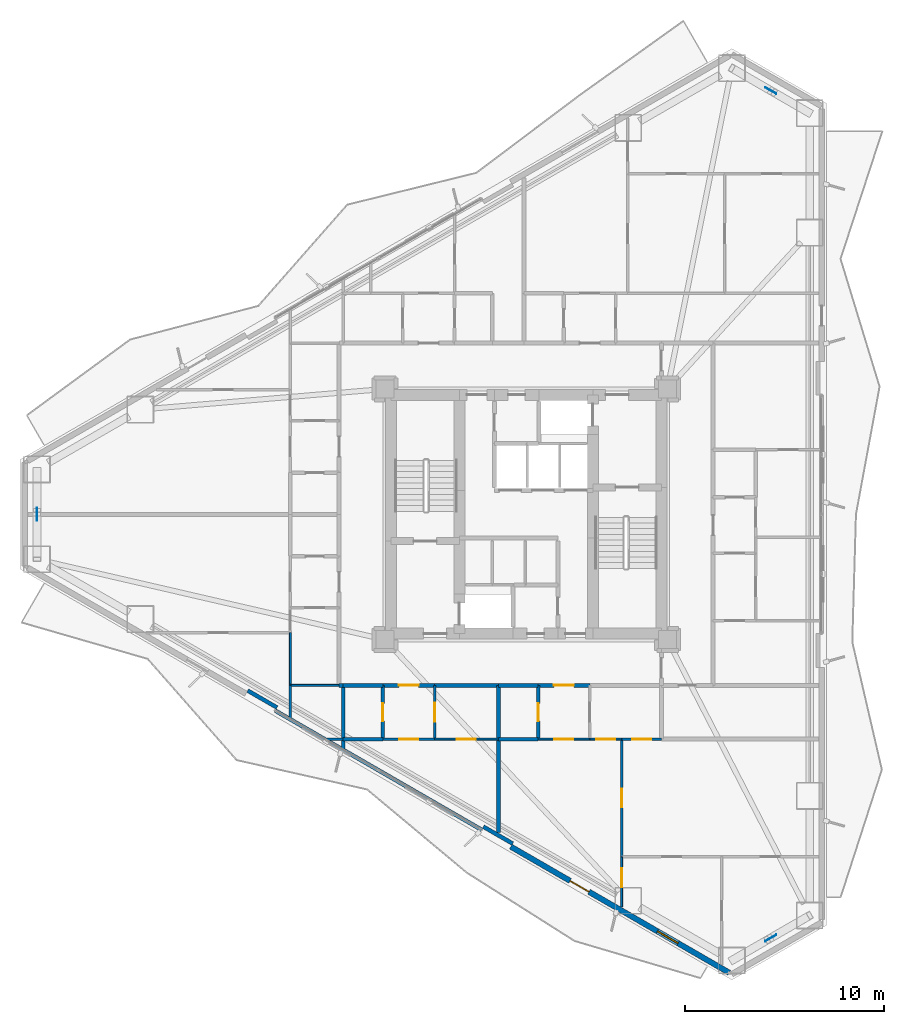
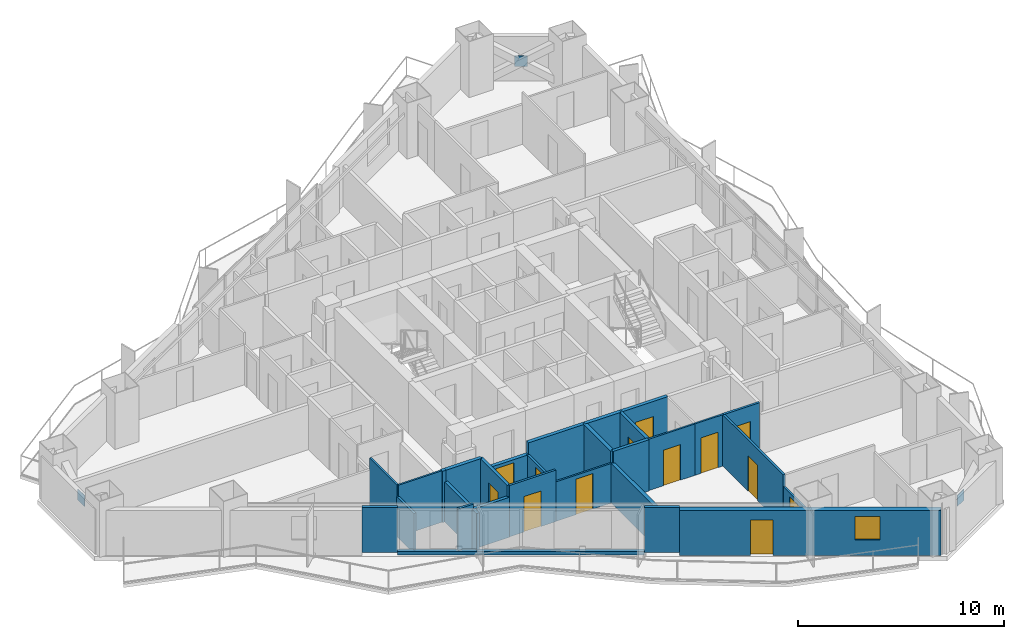
# One storey, part 11 of 18: 29 walls, 13 doors, 3 plates, 1 window, 14 openings.
"""IFC4 building model written with IfcOpenShell, lengths in metres."""

from ifc_helpers import new_model, si_unit, direction, frame, frame_2d, origin, origin_2d, place, context, subcontext, project, spatial, rectangle, extrude, material, layer, layer_set, type_object, element, fill, save


model = new_model("IFC4")

# Units and contexts
model_context = context("Model", 3, precision=1e-05, world=origin(), true_north=direction((0.0, 1.0)))
body_context = subcontext(model_context, "Body", "Model", "MODEL_VIEW")
ifc_project = project(units=[si_unit("LENGTHUNIT", "METRE"), si_unit("AREAUNIT", "SQUARE_METRE"), si_unit("VOLUMEUNIT", "CUBIC_METRE"), si_unit("PLANEANGLEUNIT", "RADIAN"), si_unit("MASSUNIT", "GRAM", prefix="KILO")], contexts=[model_context])

# Site, building, storey
site_placement = place(None, origin())
site = spatial("IfcSite", under=ifc_project, at=site_placement, CompositionType="ELEMENT")
building_placement = place(site_placement, origin())
building = spatial("IfcBuilding", under=site, at=building_placement, Name="Mersakhor Tower and Convention Hall", CompositionType="ELEMENT")
storey_placement = place(building_placement, frame((0.0, 0.0, 32.39990234375)))
storey = spatial("IfcBuildingStorey", under=building, at=storey_placement, Name="L08", CompositionType="ELEMENT", Elevation=32.39990234375)

# Plates
ifc_material_1 = material(Name="Steel S460", Category="steel")
ifc_layer_1 = layer(ifc_material_1, 0.0400390625)
ifc_layer_set_1 = layer_set([ifc_layer_1], Name="Steel S460")
plate_type = type_object("IfcPlateType", Name="PL-GUSSET-40", PredefinedType="SHEET", material=ifc_layer_set_1)
for number, where, z_axis, x_axis, name in (
    (1, (41.29345703125, 48.04296875, 1.2001953125), (0.0, 0.0, 1.0), (-0.866025403784, 0.5, 0.0), "L08 X-Brace Crossing Gusset Node Plate"),
    (2, (41.29345703125, 5.45703125, 1.2001953125), (0.0, 0.0, 1.0), (0.866025403784, 0.5, 0.0), "L08 X-Brace Crossing Gusset Node Plate"),
    (3, (4.4130859375, 26.75, 1.2001953125), (0.0, 0.0, 1.0), (0.0, -1.0, 0.0), "L08 X-Brace Crossing Gusset Node Plate"),
):
    element("IfcPlate", number, at=place(storey_placement, frame(where, z_axis=z_axis, x_axis=x_axis)), inside=storey, type_object=plate_type, Name=name, PredefinedType="SHEET", context=body_context, shape_type="SweptSolid", body=[
        extrude(rectangle(XDim=0.639892578125, YDim=0.0400390625, at=origin_2d()), origin(), (0.0, 0.0, 1.0), 0.639892578125),
    ])

# Wall, openings, door, window
ifc_material_2 = material(Name="Precast concrete C45/55", Category="concrete")
ifc_layer_2 = layer(ifc_material_2, 0.27490234375)
ifc_layer_set_2 = layer_set([ifc_layer_2], Name="Precast concrete C45/55")
wall_type_1 = type_object("IfcWallType", Name="WL-EXT-275", PredefinedType="SOLIDWALL", material=ifc_layer_set_2)
wall_1_placement = place(storey_placement, frame((39.20703125, 3.709716796875, 0.0), z_axis=(0.0, 0.0, 1.0), x_axis=(-0.86603192154, 0.499988710747, 0.0)))
wall_1 = element("IfcWall", 4, at=wall_1_placement, inside=storey, type_object=wall_type_1, Name="L08 Exterior Facade Wall F3-B1", PredefinedType="SOLIDWALL", context=body_context, shape_type="SweptSolid", body=[
    extrude(rectangle(XDim=12.673095703125, YDim=0.27490234375, at=frame_2d((6.33642578125, 0.0))), origin(), (0.0, 0.0, 1.0), 2.66015625),
])
opening_1_placement = place(wall_1_placement, frame((8.135986328125, 0.0, 0.0)))
opening_1 = element("IfcOpeningElement", 5, at=opening_1_placement, cuts=wall_1, Name="Opening BD-02", PredefinedType="OPENING", context=body_context, shape_type="SweptSolid", body=[
    extrude(rectangle(XDim=1.10009765625, YDim=2.10009765625, at=frame_2d((0.550048828125, 1.050048828125))), frame((0.0, 0.1474609375, 0.0), z_axis=(0.0, -1.0, 0.0), x_axis=(1.0, 0.0, 0.0)), (0.0, 0.0, 1.0), 0.294921875),
])
opening_2_placement = place(wall_1_placement, frame((2.970947265625, 0.0, 0.89990234375)))
opening_2 = element("IfcOpeningElement", 6, at=opening_2_placement, cuts=wall_1, Name="Opening W-01", PredefinedType="OPENING", context=body_context, shape_type="SweptSolid", body=[
    extrude(rectangle(XDim=1.199951171875, YDim=1.39990234375, at=frame_2d((0.60009765625, 0.699951171875))), frame((0.0, 0.1474609375, 0.0), z_axis=(0.0, -1.0, 0.0), x_axis=(1.0, 0.0, 0.0)), (0.0, 0.0, 1.0), 0.294921875),
])
ifc_material_3 = material(Name="Thermally broken dark aluminium and safety glass", Category="aluminium")
door_type_1 = type_object("IfcDoorType", Name="DR-BAL-110x210", OperationType="NOTDEFINED", PredefinedType="DOOR", material=ifc_material_3)
door_1_placement = place(opening_1_placement, origin())
door_1 = element("IfcDoor", 7, at=door_1_placement, inside=storey, type_object=door_type_1, Name="L08 Balcony Terrace Door F3-B1", OperationType="SINGLE_SWING_RIGHT", OverallHeight=2.10009765625, OverallWidth=1.10009765625, PredefinedType="DOOR", context=body_context, shape_type="SweptSolid", body=[
    extrude(rectangle(XDim=1.10009765625, YDim=2.10009765625, at=frame_2d((0.550048828125, 1.050048828125))), frame((0.0, 0.02490234375, 0.0), z_axis=(0.0, -1.0, 0.0), x_axis=(1.0, 0.0, 0.0)), (0.0, 0.0, 1.0), 0.050048828125),
])
fill(opening_1, door_1)
ifc_material_4 = material(Name="Dark solar low-E glazed aluminium window", Category="aluminium")
window_type = type_object("IfcWindowType", Name="WN-RES-120x150", PartitioningType="SINGLE_PANEL", PredefinedType="WINDOW", material=ifc_material_4)
window_placement = place(opening_2_placement, origin())
window = element("IfcWindow", 8, at=window_placement, inside=storey, type_object=window_type, Name="L08 Bedroom Facade Window F3-B1-1", OverallHeight=1.39990234375, OverallWidth=1.199951171875, PartitioningType="SINGLE_PANEL", PredefinedType="WINDOW", context=body_context, shape_type="SweptSolid", body=[
    extrude(rectangle(XDim=1.199951171875, YDim=1.39990234375, at=frame_2d((0.60009765625, 0.699951171875))), frame((0.0, 0.030029296875, 0.0), z_axis=(0.0, -1.0, 0.0), x_axis=(1.0, 0.0, 0.0)), (0.0, 0.0, 1.0), 0.06005859375),
])
fill(opening_2, window)

# Walls
ifc_material_5 = material(Name="Precast concrete C40/50", Category="concrete")
ifc_layer_3 = layer(ifc_material_5, 0.199951171875)
ifc_layer_set_3 = layer_set([ifc_layer_3], Name="Precast concrete C40/50")
wall_type_2 = type_object("IfcWallType", Name="WL-PAR-200", PredefinedType="PARAPET", material=ifc_layer_set_3)
wall_2_placement = place(storey_placement, frame((26.759521484375, 10.896240234375, 0.0), z_axis=(0.0, 0.0, 1.0), x_axis=(-0.866027351828, 0.499996625875, 0.0)))
element("IfcWall", 9, at=wall_2_placement, inside=storey, type_object=wall_type_2, Name="L08 Curtain Wall Upstand Sill F3-B2", PredefinedType="PARAPET", context=body_context, shape_type="SweptSolid", body=[
    extrude(rectangle(XDim=11.97314453125, YDim=0.199951171875, at=frame_2d((5.986572265625, 0.0))), origin(), (0.0, 0.0, 1.0), 0.2001953125),
])
for number, where, z_axis, x_axis, name in (
    (10, (28.32177734375, 10.2021484375, 0.0), (0.0, 0.0, 1.0), (-0.86605165483, 0.499954529098, 0.0), "L08 Column Pier Cladding Wall F3-C1"),
    (11, (16.48046875, 17.038818359375, 0.0), (0.0, 0.0, 1.0), (-0.86605165483, 0.499954529098, 0.0), "L08 Column Pier Cladding Wall F3-C2"),
):
    element("IfcWall", number, at=place(storey_placement, frame(where, z_axis=z_axis, x_axis=x_axis)), inside=storey, type_object=wall_type_2, Name=name, PredefinedType="PARAPET", context=body_context, shape_type="SweptSolid", body=[
        extrude(rectangle(XDim=1.699951171875, YDim=0.199951171875, at=frame_2d((0.85009765625, 0.0))), origin(), (0.0, 0.0, 1.0), 2.66015625),
    ])

# Wall, opening, door
ifc_material_6 = material(Name="Moisture-resistant acoustic drywall studwork", Category="other")
ifc_layer_4 = layer(ifc_material_6, 0.175048828125)
ifc_layer_set_4 = layer_set([ifc_layer_4], Name="Moisture-resistant acoustic drywall studwork")
wall_type_3 = type_object("IfcWallType", Name="WL-PLM-175", PredefinedType="PLUMBINGWALL", material=ifc_layer_set_4)
wall_3_placement = place(storey_placement, frame((21.800048828125, 15.449951171875, 0.0), z_axis=(0.0, 0.0, 1.0), x_axis=(0.0, 1.0, 0.0)))
wall_3 = element("IfcWall", 12, at=wall_3_placement, inside=storey, type_object=wall_type_3, Name="L08 Interior Partition Wall P-074", PredefinedType="PLUMBINGWALL", context=body_context, shape_type="SweptSolid", body=[
    extrude(rectangle(XDim=2.699951171875, YDim=0.175048828125, at=frame_2d((1.35009765625, 0.0))), origin(), (0.0, 0.0, 1.0), 3.0400390625),
])
opening_3_placement = place(wall_3_placement, frame((0.89990234375, 0.0, 0.0)))
opening_3 = element("IfcOpeningElement", 13, at=opening_3_placement, cuts=wall_3, Name="Opening WD-01", PredefinedType="OPENING", context=body_context, shape_type="SweptSolid", body=[
    extrude(rectangle(XDim=0.89990234375, YDim=2.10009765625, at=frame_2d((0.449951171875, 1.050048828125))), frame((0.0, 0.097412109375, 0.0), z_axis=(0.0, -1.0, 0.0), x_axis=(1.0, 0.0, 0.0)), (0.0, 0.0, 1.0), 0.195068359375),
])
ifc_material_7 = material(Name="Solid-core hardwood leaf in painted steel frame", Category="steel")
door_type_2 = type_object("IfcDoorType", Name="DR-INT-WET-090x210", OperationType="NOTDEFINED", PredefinedType="DOOR", material=ifc_material_7)
door_2_placement = place(opening_3_placement, origin())
door_2 = element("IfcDoor", 14, at=door_2_placement, inside=storey, type_object=door_type_2, Name="L08 L08 Flat S3 Apartment Hall to L08 Flat S3 Bathroom Door", OperationType="SINGLE_SWING_RIGHT", OverallHeight=2.10009765625, OverallWidth=0.89990234375, PredefinedType="DOOR", context=body_context, shape_type="SweptSolid", body=[
    extrude(rectangle(XDim=0.89990234375, YDim=2.10009765625, at=frame_2d((0.449951171875, 1.050048828125))), frame((0.0, 0.02490234375, 0.0), z_axis=(0.0, -1.0, 0.0), x_axis=(1.0, 0.0, 0.0)), (0.0, 0.0, 1.0), 0.050048828125),
])
fill(opening_3, door_2)

wall_4_placement = place(storey_placement, frame((29.60009765625, 15.449951171875, 0.0), z_axis=(0.0, 0.0, 1.0), x_axis=(0.0, 1.0, 0.0)))
wall_4 = element("IfcWall", 15, at=wall_4_placement, inside=storey, type_object=wall_type_3, Name="L08 Interior Partition Wall P-077", PredefinedType="PLUMBINGWALL", context=body_context, shape_type="SweptSolid", body=[
    extrude(rectangle(XDim=2.699951171875, YDim=0.175048828125, at=frame_2d((1.35009765625, 0.0))), origin(), (0.0, 0.0, 1.0), 3.0400390625),
])
opening_4_placement = place(wall_4_placement, frame((0.89990234375, 0.0, 0.0)))
opening_4 = element("IfcOpeningElement", 16, at=opening_4_placement, cuts=wall_4, Name="Opening WD-01", PredefinedType="OPENING", context=body_context, shape_type="SweptSolid", body=[
    extrude(rectangle(XDim=0.89990234375, YDim=2.10009765625, at=frame_2d((0.449951171875, 1.050048828125))), frame((0.0, 0.097412109375, 0.0), z_axis=(0.0, -1.0, 0.0), x_axis=(1.0, 0.0, 0.0)), (0.0, 0.0, 1.0), 0.195068359375),
])
door_3_placement = place(opening_4_placement, origin())
door_3 = element("IfcDoor", 17, at=door_3_placement, inside=storey, type_object=door_type_2, Name="L08 L08 Flat S4 Apartment Hall to L08 Flat S4 Bathroom Door", OperationType="SINGLE_SWING_LEFT", OverallHeight=2.10009765625, OverallWidth=0.89990234375, PredefinedType="DOOR", context=body_context, shape_type="SweptSolid", body=[
    extrude(rectangle(XDim=0.89990234375, YDim=2.10009765625, at=frame_2d((0.449951171875, 1.050048828125))), frame((0.0, 0.02490234375, 0.0), z_axis=(0.0, -1.0, 0.0), x_axis=(1.0, 0.0, 0.0)), (0.0, 0.0, 1.0), 0.050048828125),
])
fill(opening_4, door_3)

# Walls
wall_5_placement = place(storey_placement, frame((21.800048828125, 15.449951171875, 0.0), z_axis=(0.0, 0.0, 1.0), x_axis=(-1.0, 0.0, 0.0)))
element("IfcWall", 18, at=wall_5_placement, inside=storey, type_object=wall_type_3, Name="L08 Interior Partition Wall P-100", PredefinedType="PLUMBINGWALL", context=body_context, shape_type="SweptSolid", body=[
    extrude(rectangle(XDim=2.0, YDim=0.175048828125, at=frame_2d((1.0, 0.0))), origin(), (0.0, 0.0, 1.0), 2.364990234375),
])
wall_6_placement = place(storey_placement, frame((19.800048828125, 14.955810546875, 0.0), z_axis=(0.0, 0.0, 1.0), x_axis=(0.0, 1.0, 0.0)))
element("IfcWall", 19, at=wall_6_placement, inside=storey, type_object=wall_type_3, Name="L08 Interior Partition Wall P-101", PredefinedType="PLUMBINGWALL", context=body_context, shape_type="SweptSolid", body=[
    extrude(rectangle(XDim=3.194091796875, YDim=0.175048828125, at=frame_2d((1.59716796875, 0.0))), origin(), (0.0, 0.0, 1.0), 2.364990234375),
])
wall_7_placement = place(storey_placement, frame((29.60009765625, 15.449951171875, 0.0), z_axis=(0.0, 0.0, 1.0), x_axis=(-1.0, 0.0, 0.0)))
element("IfcWall", 20, at=wall_7_placement, inside=storey, type_object=wall_type_3, Name="L08 Interior Partition Wall P-104", PredefinedType="PLUMBINGWALL", context=body_context, shape_type="SweptSolid", body=[
    extrude(rectangle(XDim=2.0, YDim=0.175048828125, at=frame_2d((1.0, 0.0))), origin(), (0.0, 0.0, 1.0), 3.0400390625),
])

# Wall, opening, door
ifc_material_8 = material(Name="Lightweight gypsum partition", Category="other")
ifc_layer_5 = layer(ifc_material_8, 0.10009765625)
ifc_layer_set_5 = layer_set([ifc_layer_5], Name="Lightweight gypsum partition")
wall_type_4 = type_object("IfcWallType", Name="WL-PRT-100", PredefinedType="PARTITIONING", material=ifc_layer_set_5)
wall_8_placement = place(storey_placement, frame((32.199951171875, 15.449951171875, 0.0), z_axis=(0.0, 0.0, 1.0), x_axis=(-1.0, 0.0, 0.0)))
wall_8 = element("IfcWall", 21, at=wall_8_placement, inside=storey, type_object=wall_type_4, Name="L08 Interior Partition Wall P-076", PredefinedType="PARTITIONING", context=body_context, shape_type="SweptSolid", body=[
    extrude(rectangle(XDim=2.599853515625, YDim=0.10009765625, at=frame_2d((1.2998046875, 0.0))), origin(), (0.0, 0.0, 1.0), 3.0400390625),
])
opening_5_placement = place(wall_8_placement, frame((0.824951171875, 0.0, 0.0)))
opening_5 = element("IfcOpeningElement", 22, at=opening_5_placement, cuts=wall_8, Name="Opening RD-01", PredefinedType="OPENING", context=body_context, shape_type="SweptSolid", body=[
    extrude(rectangle(XDim=0.949951171875, YDim=2.10009765625, at=frame_2d((0.47509765625, 1.050048828125))), frame((0.0, 0.06005859375, 0.0), z_axis=(0.0, -1.0, 0.0), x_axis=(1.0, 0.0, 0.0)), (0.0, 0.0, 1.0), 0.1201171875),
])
ifc_material_9 = material(Name="Solid-core hardwood leaf in painted steel frame", Category="steel")
door_type_3 = type_object("IfcDoorType", Name="DR-INT-RM-095x210", OperationType="NOTDEFINED", PredefinedType="DOOR", material=ifc_material_9)
door_4_placement = place(opening_5_placement, origin())
door_4 = element("IfcDoor", 23, at=door_4_placement, inside=storey, type_object=door_type_3, Name="L08 L08 Flat S4 Apartment Hall to L08 Flat S4 Living and Dining Room Door", OperationType="SINGLE_SWING_LEFT", OverallHeight=2.10009765625, OverallWidth=0.949951171875, PredefinedType="DOOR", context=body_context, shape_type="SweptSolid", body=[
    extrude(rectangle(XDim=0.949951171875, YDim=2.10009765625, at=frame_2d((0.47509765625, 1.050048828125))), frame((0.0, 0.02490234375, 0.0), z_axis=(0.0, -1.0, 0.0), x_axis=(1.0, 0.0, 0.0)), (0.0, 0.0, 1.0), 0.050048828125),
])
fill(opening_5, door_4)

wall_9_placement = place(storey_placement, frame((27.60009765625, 15.449951171875, 0.0), z_axis=(0.0, 0.0, 1.0), x_axis=(-1.0, 0.0, 0.0)))
wall_9 = element("IfcWall", 24, at=wall_9_placement, inside=storey, type_object=wall_type_4, Name="L08 Interior Partition Wall P-102", PredefinedType="PARTITIONING", context=body_context, shape_type="SweptSolid", body=[
    extrude(rectangle(XDim=3.2001953125, YDim=0.10009765625, at=frame_2d((1.60009765625, 0.0))), origin(), (0.0, 0.0, 1.0), 2.337646484375),
])
opening_6_placement = place(wall_9_placement, frame((1.125, 0.0, 0.0)))
opening_6 = element("IfcOpeningElement", 25, at=opening_6_placement, cuts=wall_9, Name="Opening RD-01", PredefinedType="OPENING", context=body_context, shape_type="SweptSolid", body=[
    extrude(rectangle(XDim=0.949951171875, YDim=2.10009765625, at=frame_2d((0.47509765625, 1.050048828125))), frame((0.0, 0.06005859375, 0.0), z_axis=(0.0, -1.0, 0.0), x_axis=(1.0, 0.0, 0.0)), (0.0, 0.0, 1.0), 0.1201171875),
])
door_5_placement = place(opening_6_placement, origin())
door_5 = element("IfcDoor", 26, at=door_5_placement, inside=storey, type_object=door_type_3, Name="L08 L08 Flat S3 Kitchen to L08 Flat S3 Studio Living and Sleeping Room Door", OperationType="SINGLE_SWING_LEFT", OverallHeight=2.10009765625, OverallWidth=0.949951171875, PredefinedType="DOOR", context=body_context, shape_type="SweptSolid", body=[
    extrude(rectangle(XDim=0.949951171875, YDim=2.10009765625, at=frame_2d((0.47509765625, 1.050048828125))), frame((0.0, 0.02490234375, 0.0), z_axis=(0.0, -1.0, 0.0), x_axis=(1.0, 0.0, 0.0)), (0.0, 0.0, 1.0), 0.050048828125),
])
fill(opening_6, door_5)

wall_10_placement = place(storey_placement, frame((33.800048828125, 15.449951171875, 0.0), z_axis=(0.0, 0.0, 1.0), x_axis=(-1.0, 0.0, 0.0)))
wall_10 = element("IfcWall", 27, at=wall_10_placement, inside=storey, type_object=wall_type_4, Name="L08 Interior Partition Wall P-106", PredefinedType="PARTITIONING", context=body_context, shape_type="SweptSolid", body=[
    extrude(rectangle(XDim=1.60009765625, YDim=0.10009765625, at=frame_2d((0.800048828125, 0.0))), origin(), (0.0, 0.0, 1.0), 3.0400390625),
])
opening_7_placement = place(wall_10_placement, frame((0.324951171875, 0.0, 0.0)))
opening_7 = element("IfcOpeningElement", 28, at=opening_7_placement, cuts=wall_10, Name="Opening RD-01", PredefinedType="OPENING", context=body_context, shape_type="SweptSolid", body=[
    extrude(rectangle(XDim=0.949951171875, YDim=2.10009765625, at=frame_2d((0.47509765625, 1.050048828125))), frame((0.0, 0.06005859375, 0.0), z_axis=(0.0, -1.0, 0.0), x_axis=(1.0, 0.0, 0.0)), (0.0, 0.0, 1.0), 0.1201171875),
])
door_6_placement = place(opening_7_placement, origin())
door_6 = element("IfcDoor", 29, at=door_6_placement, inside=storey, type_object=door_type_3, Name="L08 L08 Flat S4 Kitchen to L08 Flat S4 Living and Dining Room Door", OperationType="SINGLE_SWING_RIGHT", OverallHeight=2.10009765625, OverallWidth=0.949951171875, PredefinedType="DOOR", context=body_context, shape_type="SweptSolid", body=[
    extrude(rectangle(XDim=0.949951171875, YDim=2.10009765625, at=frame_2d((0.47509765625, 1.050048828125))), frame((0.0, 0.02490234375, 0.0), z_axis=(0.0, -1.0, 0.0), x_axis=(1.0, 0.0, 0.0)), (0.0, 0.0, 1.0), 0.050048828125),
])
fill(opening_7, door_6)

# Walls
wall_11_placement = place(storey_placement, frame((17.14990234375, 18.14990234375, 0.0), z_axis=(0.0, 0.0, 1.0), x_axis=(0.0, 1.0, 0.0)))
element("IfcWall", 30, at=wall_11_placement, inside=storey, type_object=wall_type_4, Name="L08 Interior Partition Wall P-114", PredefinedType="PARTITIONING", context=body_context, shape_type="SweptSolid", body=[
    extrude(rectangle(XDim=2.650146484375, YDim=0.10009765625, at=frame_2d((1.3251953125, 0.0))), origin(), (0.0, 0.0, 1.0), 3.0400390625),
])
wall_12_placement = place(storey_placement, frame((19.60009765625, 18.14990234375, 0.0), z_axis=(0.0, 0.0, 1.0), x_axis=(-1.0, 0.0, 0.0)))
element("IfcWall", 31, at=wall_12_placement, inside=storey, type_object=wall_type_4, Name="L08 Interior Partition Wall P-116", PredefinedType="PARTITIONING", context=body_context, shape_type="SweptSolid", body=[
    extrude(rectangle(XDim=2.4501953125, YDim=0.10009765625, at=frame_2d((1.22509765625, 0.0))), origin(), (0.0, 0.0, 1.0), 3.0400390625),
])

# Wall, opening, door
wall_13_placement = place(storey_placement, frame((33.800048828125, 9.5400390625, 0.0), z_axis=(0.0, 0.0, 1.0), x_axis=(0.0, -1.0, 0.0)))
wall_13 = element("IfcWall", 32, at=wall_13_placement, inside=storey, type_object=wall_type_4, Name="L08 Interior Partition Wall P-134", PredefinedType="PARTITIONING", context=body_context, shape_type="SweptSolid", body=[
    extrude(rectangle(XDim=2.522216796875, YDim=0.10009765625, at=frame_2d((1.26123046875, 0.0))), origin(), (0.0, 0.0, 1.0), 2.337646484375),
])
opening_8_placement = place(wall_13_placement, frame((0.57421875, 0.0, 0.0)))
opening_8 = element("IfcOpeningElement", 33, at=opening_8_placement, cuts=wall_13, Name="Opening RD-01", PredefinedType="OPENING", context=body_context, shape_type="SweptSolid", body=[
    extrude(rectangle(XDim=0.949951171875, YDim=2.10009765625, at=frame_2d((0.47509765625, 1.050048828125))), frame((0.0, 0.06005859375, 0.0), z_axis=(0.0, -1.0, 0.0), x_axis=(1.0, 0.0, 0.0)), (0.0, 0.0, 1.0), 0.1201171875),
])
door_7_placement = place(opening_8_placement, origin())
door_7 = element("IfcDoor", 34, at=door_7_placement, inside=storey, type_object=door_type_3, Name="L08 L08 Flat S4 Living and Dining Room to L08 Flat S4 Bedroom 1 Door", OperationType="SINGLE_SWING_LEFT", OverallHeight=2.10009765625, OverallWidth=0.949951171875, PredefinedType="DOOR", context=body_context, shape_type="SweptSolid", body=[
    extrude(rectangle(XDim=0.949951171875, YDim=2.10009765625, at=frame_2d((0.47509765625, 1.050048828125))), frame((0.0, 0.02490234375, 0.0), z_axis=(0.0, -1.0, 0.0), x_axis=(1.0, 0.0, 0.0)), (0.0, 0.0, 1.0), 0.050048828125),
])
fill(opening_8, door_7)

ifc_material_10 = material(Name="Gypsum board acoustic partition", Category="other")
ifc_layer_6 = layer(ifc_material_10, 0.125)
ifc_layer_set_6 = layer_set([ifc_layer_6], Name="Gypsum board acoustic partition")
wall_type_5 = type_object("IfcWallType", Name="WL-PRT-125", PredefinedType="PARTITIONING", material=ifc_layer_set_6)
wall_14_placement = place(storey_placement, frame((24.39990234375, 15.449951171875, 0.0), z_axis=(0.0, 0.0, 1.0), x_axis=(-1.0, 0.0, 0.0)))
wall_14 = element("IfcWall", 35, at=wall_14_placement, inside=storey, type_object=wall_type_5, Name="L08 Interior Partition Wall P-073", PredefinedType="PARTITIONING", context=body_context, shape_type="SweptSolid", body=[
    extrude(rectangle(XDim=2.599853515625, YDim=0.125, at=frame_2d((1.2998046875, 0.0))), origin(), (0.0, 0.0, 1.0), 3.0400390625),
])
opening_9_placement = place(wall_14_placement, frame((0.824951171875, 0.0, 0.0)))
opening_9 = element("IfcOpeningElement", 36, at=opening_9_placement, cuts=wall_14, Name="Opening RD-01", PredefinedType="OPENING", context=body_context, shape_type="SweptSolid", body=[
    extrude(rectangle(XDim=0.949951171875, YDim=2.10009765625, at=frame_2d((0.47509765625, 1.050048828125))), frame((0.0, 0.072509765625, 0.0), z_axis=(0.0, -1.0, 0.0), x_axis=(1.0, 0.0, 0.0)), (0.0, 0.0, 1.0), 0.14501953125),
])
door_8_placement = place(opening_9_placement, origin())
door_8 = element("IfcDoor", 37, at=door_8_placement, inside=storey, type_object=door_type_3, Name="L08 L08 Flat S3 Apartment Hall to L08 Flat S3 Studio Living and Sleeping Room Door", OperationType="SINGLE_SWING_RIGHT", OverallHeight=2.10009765625, OverallWidth=0.949951171875, PredefinedType="DOOR", context=body_context, shape_type="SweptSolid", body=[
    extrude(rectangle(XDim=0.949951171875, YDim=2.10009765625, at=frame_2d((0.47509765625, 1.050048828125))), frame((0.0, 0.02490234375, 0.0), z_axis=(0.0, -1.0, 0.0), x_axis=(1.0, 0.0, 0.0)), (0.0, 0.0, 1.0), 0.050048828125),
])
fill(opening_9, door_8)

wall_15_placement = place(storey_placement, frame((24.39990234375, 18.14990234375, 0.0), z_axis=(0.0, 0.0, 1.0), x_axis=(0.0, -1.0, 0.0)))
wall_15 = element("IfcWall", 38, at=wall_15_placement, inside=storey, type_object=wall_type_5, Name="L08 Interior Partition Wall P-075", PredefinedType="PARTITIONING", context=body_context, shape_type="SweptSolid", body=[
    extrude(rectangle(XDim=2.699951171875, YDim=0.125, at=frame_2d((1.35009765625, 0.0))), origin(), (0.0, 0.0, 1.0), 2.337646484375),
])
opening_10_placement = place(wall_15_placement, frame((0.875, 0.0, 0.0)))
opening_10 = element("IfcOpeningElement", 39, at=opening_10_placement, cuts=wall_15, Name="Opening RD-01", PredefinedType="OPENING", context=body_context, shape_type="SweptSolid", body=[
    extrude(rectangle(XDim=0.949951171875, YDim=2.10009765625, at=frame_2d((0.47509765625, 1.050048828125))), frame((0.0, 0.072509765625, 0.0), z_axis=(0.0, -1.0, 0.0), x_axis=(1.0, 0.0, 0.0)), (0.0, 0.0, 1.0), 0.14501953125),
])
door_9_placement = place(opening_10_placement, origin())
door_9 = element("IfcDoor", 40, at=door_9_placement, inside=storey, type_object=door_type_3, Name="L08 L08 Flat S3 Apartment Hall to L08 Flat S3 Kitchen Door", OperationType="SINGLE_SWING_LEFT", OverallHeight=2.10009765625, OverallWidth=0.949951171875, PredefinedType="DOOR", context=body_context, shape_type="SweptSolid", body=[
    extrude(rectangle(XDim=0.949951171875, YDim=2.10009765625, at=frame_2d((0.47509765625, 1.050048828125))), frame((0.0, 0.02490234375, 0.0), z_axis=(0.0, -1.0, 0.0), x_axis=(1.0, 0.0, 0.0)), (0.0, 0.0, 1.0), 0.050048828125),
])
fill(opening_10, door_9)

wall_16_placement = place(storey_placement, frame((35.800048828125, 15.449951171875, 0.0), z_axis=(0.0, 0.0, 1.0), x_axis=(-1.0, 0.0, 0.0)))
wall_16 = element("IfcWall", 41, at=wall_16_placement, inside=storey, type_object=wall_type_5, Name="L08 Interior Partition Wall P-105", PredefinedType="PARTITIONING", context=body_context, shape_type="SweptSolid", body=[
    extrude(rectangle(XDim=2.0, YDim=0.125, at=frame_2d((1.0, 0.0))), origin(), (0.0, 0.0, 1.0), 3.0400390625),
])
opening_11_placement = place(wall_16_placement, frame((0.52490234375, 0.0, 0.0)))
opening_11 = element("IfcOpeningElement", 42, at=opening_11_placement, cuts=wall_16, Name="Opening RD-01", PredefinedType="OPENING", context=body_context, shape_type="SweptSolid", body=[
    extrude(rectangle(XDim=0.949951171875, YDim=2.10009765625, at=frame_2d((0.47509765625, 1.050048828125))), frame((0.0, 0.072509765625, 0.0), z_axis=(0.0, -1.0, 0.0), x_axis=(1.0, 0.0, 0.0)), (0.0, 0.0, 1.0), 0.14501953125),
])
door_10_placement = place(opening_11_placement, origin())
door_10 = element("IfcDoor", 43, at=door_10_placement, inside=storey, type_object=door_type_3, Name="L08 L08 Flat S4 Kitchen to L08 Flat S4 Dining Room Door", OperationType="SINGLE_SWING_LEFT", OverallHeight=2.10009765625, OverallWidth=0.949951171875, PredefinedType="DOOR", context=body_context, shape_type="SweptSolid", body=[
    extrude(rectangle(XDim=0.949951171875, YDim=2.10009765625, at=frame_2d((0.47509765625, 1.050048828125))), frame((0.0, 0.02490234375, 0.0), z_axis=(0.0, -1.0, 0.0), x_axis=(1.0, 0.0, 0.0)), (0.0, 0.0, 1.0), 0.050048828125),
])
fill(opening_11, door_10)

# Wall
wall_17_placement = place(storey_placement, frame((18.9375, 15.449951171875, 0.0), z_axis=(0.0, 0.0, 1.0), x_axis=(1.0, 0.0, 0.0)))
element("IfcWall", 44, at=wall_17_placement, inside=storey, type_object=wall_type_5, Name="L08 Interior Partition Wall P-131", PredefinedType="PARTITIONING", context=body_context, shape_type="SweptSolid", body=[
    extrude(rectangle(XDim=0.862548828125, YDim=0.125, at=frame_2d((0.43115234375, 0.0))), origin(), (0.0, 0.0, 1.0), 2.650390625),
])

# Wall, opening, door
wall_18_placement = place(storey_placement, frame((33.800048828125, 15.449951171875, 0.0), z_axis=(0.0, 0.0, 1.0), x_axis=(0.0, -1.0, 0.0)))
wall_18 = element("IfcWall", 45, at=wall_18_placement, inside=storey, type_object=wall_type_5, Name="L08 Interior Partition Wall P-133", PredefinedType="PARTITIONING", context=body_context, shape_type="SweptSolid", body=[
    extrude(rectangle(XDim=5.909912109375, YDim=0.125, at=frame_2d((2.955078125, 0.0))), origin(), (0.0, 0.0, 1.0), 3.0400390625),
])
opening_12_placement = place(wall_18_placement, frame((2.47998046875, 0.0, 0.0)))
opening_12 = element("IfcOpeningElement", 46, at=opening_12_placement, cuts=wall_18, Name="Opening RD-01", PredefinedType="OPENING", context=body_context, shape_type="SweptSolid", body=[
    extrude(rectangle(XDim=0.949951171875, YDim=2.10009765625, at=frame_2d((0.47509765625, 1.050048828125))), frame((0.0, 0.072509765625, 0.0), z_axis=(0.0, -1.0, 0.0), x_axis=(1.0, 0.0, 0.0)), (0.0, 0.0, 1.0), 0.14501953125),
])
door_11_placement = place(opening_12_placement, origin())
door_11 = element("IfcDoor", 47, at=door_11_placement, inside=storey, type_object=door_type_3, Name="L08 L08 Flat S4 Living and Dining Room to L08 Flat S4 Dining Room Door", OperationType="SINGLE_SWING_RIGHT", OverallHeight=2.10009765625, OverallWidth=0.949951171875, PredefinedType="DOOR", context=body_context, shape_type="SweptSolid", body=[
    extrude(rectangle(XDim=0.949951171875, YDim=2.10009765625, at=frame_2d((0.47509765625, 1.050048828125))), frame((0.0, 0.02490234375, 0.0), z_axis=(0.0, -1.0, 0.0), x_axis=(1.0, 0.0, 0.0)), (0.0, 0.0, 1.0), 0.050048828125),
])
fill(opening_12, door_11)

# Wall
wall_19_placement = place(storey_placement, frame((17.14990234375, 18.14990234375, 0.0), z_axis=(0.0, 0.0, 1.0), x_axis=(0.0, -1.0, 0.0)))
element("IfcWall", 48, at=wall_19_placement, inside=storey, type_object=wall_type_5, Name="L08 Interior Partition Wall P-145", PredefinedType="PARTITIONING", context=body_context, shape_type="SweptSolid", body=[
    extrude(rectangle(XDim=1.6640625, YDim=0.125, at=frame_2d((0.83203125, 0.0))), origin(), (0.0, 0.0, 1.0), 2.364990234375),
])

# Wall, opening, door
ifc_material_11 = material(Name="Acoustic concrete blockwork and gypsum board", Category="masonry")
ifc_layer_7 = layer(ifc_material_11, 0.199951171875)
ifc_layer_set_7 = layer_set([ifc_layer_7], Name="Acoustic concrete blockwork and gypsum board")
wall_type_6 = type_object("IfcWallType", Name="WL-PRT-200", PredefinedType="PARTITIONING", material=ifc_layer_set_7)
wall_20_placement = place(storey_placement, frame((32.199951171875, 18.14990234375, 0.0), z_axis=(0.0, 0.0, 1.0), x_axis=(-1.0, 0.0, 0.0)))
wall_20 = element("IfcWall", 49, at=wall_20_placement, inside=storey, type_object=wall_type_6, Name="L08 Interior Partition Wall P-025", PredefinedType="PARTITIONING", context=body_context, shape_type="SweptSolid", body=[
    extrude(rectangle(XDim=2.599853515625, YDim=0.199951171875, at=frame_2d((1.2998046875, 0.0))), origin(), (0.0, 0.0, 1.0), 3.0400390625),
])
opening_13_placement = place(wall_20_placement, frame((0.800048828125, 0.0, 0.0)))
opening_13 = element("IfcOpeningElement", 50, at=opening_13_placement, cuts=wall_20, Name="Opening FD-01", PredefinedType="OPENING", context=body_context, shape_type="SweptSolid", body=[
    extrude(rectangle(XDim=1.0, YDim=2.14990234375, at=frame_2d((0.5, 1.074951171875))), frame((0.0, 0.10986328125, 0.0), z_axis=(0.0, -1.0, 0.0), x_axis=(1.0, 0.0, 0.0)), (0.0, 0.0, 1.0), 0.219970703125),
])
ifc_material_12 = material(Name="Fire-rated hardwood leaf and painted steel frame", Category="steel")
door_type_4 = type_object("IfcDoorType", Name="DR-INT-FLT-100x215", OperationType="NOTDEFINED", PredefinedType="DOOR", material=ifc_material_12)
door_12_placement = place(opening_13_placement, origin())
door_12 = element("IfcDoor", 51, at=door_12_placement, inside=storey, type_object=door_type_4, Name="L08 Apartment Entrance Door (Residential Ring Corridor to L08 Flat S4 Apartment Hall)", OperationType="SINGLE_SWING_LEFT", OverallHeight=2.14990234375, OverallWidth=1.0, PredefinedType="DOOR", context=body_context, shape_type="SweptSolid", body=[
    extrude(rectangle(XDim=1.0, YDim=2.14990234375, at=frame_2d((0.5, 1.074951171875))), frame((0.0, 0.02490234375, 0.0), z_axis=(0.0, -1.0, 0.0), x_axis=(1.0, 0.0, 0.0)), (0.0, 0.0, 1.0), 0.050048828125),
])
fill(opening_13, door_12)

# Walls
wall_21_placement = place(storey_placement, frame((29.60009765625, 18.14990234375, 0.0), z_axis=(0.0, 0.0, 1.0), x_axis=(-1.0, 0.0, 0.0)))
element("IfcWall", 52, at=wall_21_placement, inside=storey, type_object=wall_type_6, Name="L08 Interior Partition Wall P-026", PredefinedType="PARTITIONING", context=body_context, shape_type="SweptSolid", body=[
    extrude(rectangle(XDim=2.0, YDim=0.199951171875, at=frame_2d((1.0, 0.0))), origin(), (0.0, 0.0, 1.0), 3.0400390625),
])
wall_22_placement = place(storey_placement, frame((27.60009765625, 18.14990234375, 0.0), z_axis=(0.0, 0.0, 1.0), x_axis=(-1.0, 0.0, 0.0)))
element("IfcWall", 53, at=wall_22_placement, inside=storey, type_object=wall_type_6, Name="L08 Interior Partition Wall P-027", PredefinedType="PARTITIONING", context=body_context, shape_type="SweptSolid", body=[
    extrude(rectangle(XDim=3.2001953125, YDim=0.199951171875, at=frame_2d((1.60009765625, 0.0))), origin(), (0.0, 0.0, 1.0), 3.0400390625),
])

# Wall, opening, door
wall_23_placement = place(storey_placement, frame((24.39990234375, 18.14990234375, 0.0), z_axis=(0.0, 0.0, 1.0), x_axis=(-1.0, 0.0, 0.0)))
wall_23 = element("IfcWall", 54, at=wall_23_placement, inside=storey, type_object=wall_type_6, Name="L08 Interior Partition Wall P-028", PredefinedType="PARTITIONING", context=body_context, shape_type="SweptSolid", body=[
    extrude(rectangle(XDim=2.599853515625, YDim=0.199951171875, at=frame_2d((1.2998046875, 0.0))), origin(), (0.0, 0.0, 1.0), 2.337646484375),
])
opening_14_placement = place(wall_23_placement, frame((0.800048828125, 0.0, 0.0)))
opening_14 = element("IfcOpeningElement", 55, at=opening_14_placement, cuts=wall_23, Name="Opening FD-01", PredefinedType="OPENING", context=body_context, shape_type="SweptSolid", body=[
    extrude(rectangle(XDim=1.0, YDim=2.14990234375, at=frame_2d((0.5, 1.074951171875))), frame((0.0, 0.10986328125, 0.0), z_axis=(0.0, -1.0, 0.0), x_axis=(1.0, 0.0, 0.0)), (0.0, 0.0, 1.0), 0.219970703125),
])
door_13_placement = place(opening_14_placement, origin())
door_13 = element("IfcDoor", 56, at=door_13_placement, inside=storey, type_object=door_type_4, Name="L08 Apartment Entrance Door (Residential Ring Corridor to L08 Flat S3 Apartment Hall)", OperationType="SINGLE_SWING_RIGHT", OverallHeight=2.14990234375, OverallWidth=1.0, PredefinedType="DOOR", context=body_context, shape_type="SweptSolid", body=[
    extrude(rectangle(XDim=1.0, YDim=2.14990234375, at=frame_2d((0.5, 1.074951171875))), frame((0.0, 0.02490234375, 0.0), z_axis=(0.0, -1.0, 0.0), x_axis=(1.0, 0.0, 0.0)), (0.0, 0.0, 1.0), 0.050048828125),
])
fill(opening_14, door_13)

# Walls
wall_24_placement = place(storey_placement, frame((21.800048828125, 18.14990234375, 0.0), z_axis=(0.0, 0.0, 1.0), x_axis=(-1.0, 0.0, 0.0)))
element("IfcWall", 57, at=wall_24_placement, inside=storey, type_object=wall_type_6, Name="L08 Interior Partition Wall P-029", PredefinedType="PARTITIONING", context=body_context, shape_type="SweptSolid", body=[
    extrude(rectangle(XDim=2.0, YDim=0.199951171875, at=frame_2d((1.0, 0.0))), origin(), (0.0, 0.0, 1.0), 3.0400390625),
])
wall_25_placement = place(storey_placement, frame((19.800048828125, 18.14990234375, 0.0), z_axis=(0.0, 0.0, 1.0), x_axis=(-1.0, 0.0, 0.0)))
element("IfcWall", 58, at=wall_25_placement, inside=storey, type_object=wall_type_6, Name="L08 Interior Partition Wall P-030", PredefinedType="PARTITIONING", context=body_context, shape_type="SweptSolid", body=[
    extrude(rectangle(XDim=0.199951171875, YDim=0.199951171875, at=frame_2d((0.10009765625, 0.0))), origin(), (0.0, 0.0, 1.0), 3.0400390625),
])
wall_26_placement = place(storey_placement, frame((27.60009765625, 18.14990234375, 0.0), z_axis=(0.0, 0.0, 1.0), x_axis=(0.0, -1.0, 0.0)))
element("IfcWall", 59, at=wall_26_placement, inside=storey, type_object=wall_type_6, Name="L08 Interior Partition Wall P-103", PredefinedType="PARTITIONING", context=body_context, shape_type="SweptSolid", body=[
    extrude(rectangle(XDim=2.699951171875, YDim=0.199951171875, at=frame_2d((1.35009765625, 0.0))), origin(), (0.0, 0.0, 1.0), 3.0400390625),
])
wall_27_placement = place(storey_placement, frame((27.60009765625, 15.449951171875, 0.0), z_axis=(0.0, 0.0, 1.0), x_axis=(0.0, -1.0, 0.0)))
element("IfcWall", 60, at=wall_27_placement, inside=storey, type_object=wall_type_6, Name="L08 Interior Partition Wall P-132", PredefinedType="PARTITIONING", context=body_context, shape_type="SweptSolid", body=[
    extrude(rectangle(XDim=4.68798828125, YDim=0.199951171875, at=frame_2d((2.343994140625, 0.0))), origin(), (0.0, 0.0, 1.0), 2.337646484375),
])

save(model, "model.ifc")
